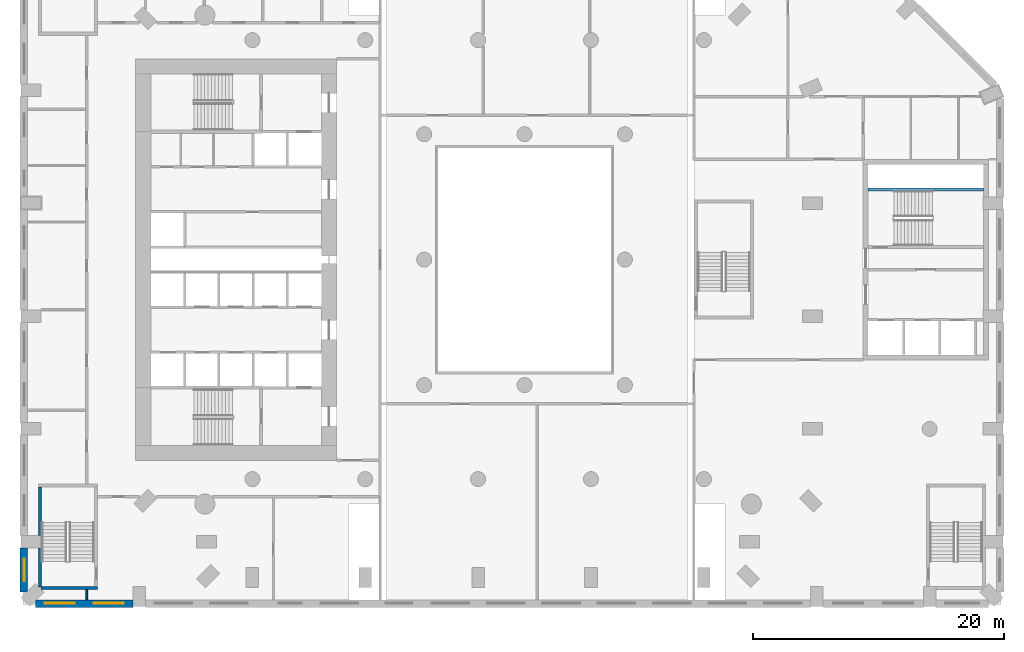
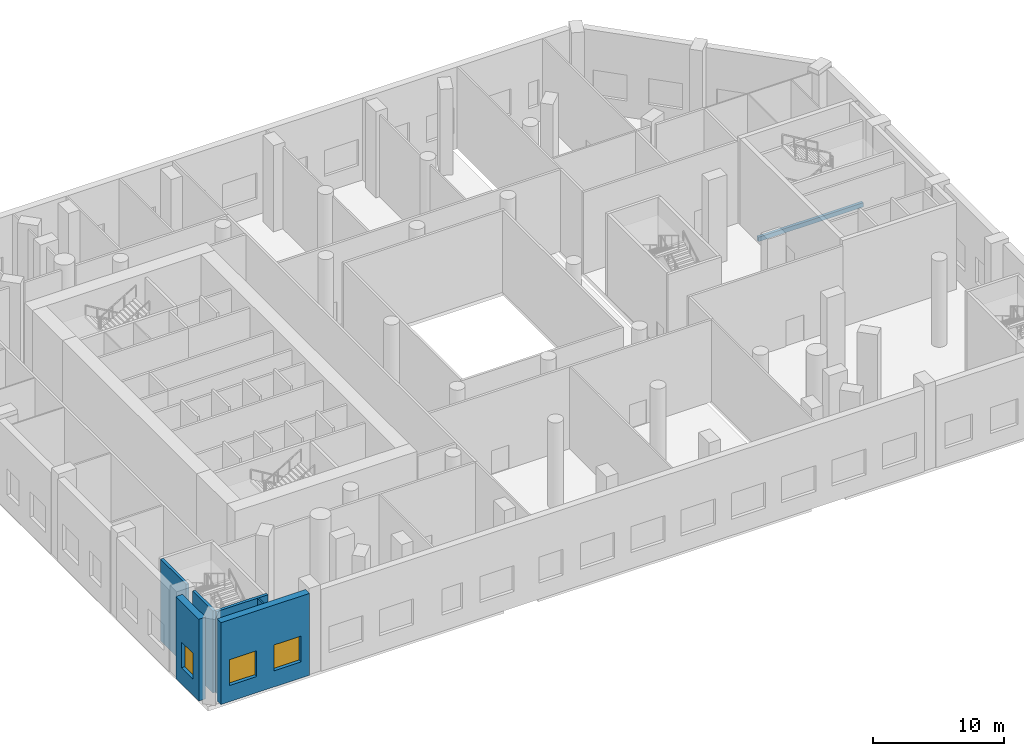
# One storey, part 2 of 18: 6 walls, 3 windows, 1 slab, 3 openings.
"""IFC4 building model written with IfcOpenShell, lengths in metres."""

from ifc_helpers import new_model, si_unit, direction, frame, frame_2d, origin, place, context, subcontext, project, spatial, polyline, rectangle, outline, extrude, material, layer, layer_set, type_object, element, fill, save


model = new_model("IFC4")

# Units and contexts
model_context = context("Model", 3, precision=1e-05, world=origin(), true_north=direction((0.0, 1.0)))
body_context = subcontext(model_context, "Body", "Model", "MODEL_VIEW")
ifc_project = project(units=[si_unit("LENGTHUNIT", "METRE"), si_unit("AREAUNIT", "SQUARE_METRE"), si_unit("VOLUMEUNIT", "CUBIC_METRE"), si_unit("PLANEANGLEUNIT", "RADIAN"), si_unit("MASSUNIT", "GRAM", prefix="KILO")], contexts=[model_context])

# Site, building, storey
site_placement = place(None, origin())
site = spatial("IfcSite", under=ifc_project, at=site_placement, CompositionType="ELEMENT")
building_placement = place(site_placement, origin())
building = spatial("IfcBuilding", under=site, at=building_placement, Name="Cypress Arch Tower", CompositionType="ELEMENT")
storey_placement = place(building_placement, frame((0.0, 0.0, 36.0)))
storey = spatial("IfcBuildingStorey", under=building, at=storey_placement, Name="L04", CompositionType="ELEMENT", Elevation=36.0)

# Slab
ifc_material_1 = material(Name="Concrete C40/50", Category="concrete")
ifc_layer_1 = layer(ifc_material_1, 0.402099609375)
ifc_layer_set_1 = layer_set([ifc_layer_1], Name="Core floor CF402")
slab_type = type_object("IfcSlabType", Name="Core floor CF402", PredefinedType="FLOOR", material=ifc_layer_set_1)
slab_placement = place(storey_placement, frame((0.0, 0.0, -0.402099609375)))
element("IfcSlab", 1, at=slab_placement, inside=storey, type_object=slab_type, Name="East core floor", PredefinedType="FLOOR", context=body_context, shape_type="SweptSolid", body=[
    extrude(outline(polyline([(30.449951171875, 5.47509765625), (28.800048828125, 5.47509765625), (28.39990234375, 5.47509765625), (28.39990234375, 5.72509765625), (28.800048828125, 5.72509765625), (37.199951171875, 5.72509765625), (37.60009765625, 5.72509765625), (37.60009765625, 5.47509765625), (37.199951171875, 5.47509765625), (30.449951171875, 5.47509765625)])), origin(), (0.0, 0.0, 1.0), 0.402099609375),
])

# Wall, openings, windows
ifc_material_2 = material(Name="Brick (red buff blend) on blockwork backing", Category="masonry")
ifc_layer_2 = layer(ifc_material_2, 0.60009765625)
ifc_layer_set_2 = layer_set([ifc_layer_2], Name="Brick base wall BW600")
wall_type_1 = type_object("IfcWallType", Name="Brick base wall BW600", PredefinedType="ELEMENTEDWALL", material=ifc_layer_set_2)
wall_1_placement = place(storey_placement, frame((-37.992919921875, -27.425048828125, 0.0), z_axis=(0.0, 0.0, 1.0), x_axis=(1.0, 0.0, 0.0)))
wall_1 = element("IfcWall", 2, at=wall_1_placement, inside=storey, type_object=wall_type_1, Name="Brick wall L04 P00.0", PredefinedType="ELEMENTEDWALL", context=body_context, shape_type="SweptSolid", body=[
    extrude(rectangle(XDim=7.79296875, YDim=0.60009765625, at=frame_2d((3.896484375, 0.0))), origin(), (0.0, 0.0, 1.0), 7.60009765625),
])
opening_1_placement = place(wall_1_placement, frame((0.748291015625, 0.0, 1.5)))
opening_1 = element("IfcOpeningElement", 3, at=opening_1_placement, cuts=wall_1, Name="Opening W240P", PredefinedType="OPENING", context=body_context, shape_type="SweptSolid", body=[
    extrude(rectangle(XDim=2.39990234375, YDim=2.39990234375, at=frame_2d((1.199951171875, 1.199951171875))), frame((0.0, 0.31005859375, 0.0), z_axis=(0.0, -1.0, 0.0), x_axis=(1.0, 0.0, 0.0)), (0.0, 0.0, 1.0), 0.6201171875),
])
opening_2_placement = place(wall_1_placement, frame((4.644775390625, 0.0, 1.5)))
opening_2 = element("IfcOpeningElement", 4, at=opening_2_placement, cuts=wall_1, Name="Opening W240P", PredefinedType="OPENING", context=body_context, shape_type="SweptSolid", body=[
    extrude(rectangle(XDim=2.39990234375, YDim=2.39990234375, at=frame_2d((1.199951171875, 1.199951171875))), frame((0.0, 0.31005859375, 0.0), z_axis=(0.0, -1.0, 0.0), x_axis=(1.0, 0.0, 0.0)), (0.0, 0.0, 1.0), 0.6201171875),
])
ifc_material_3 = material(Name="Anodised aluminium, bronze finish, clear low-emissivity double glazing", Category="aluminium")
window_type_1 = type_object("IfcWindowType", Name="Window Podium 2400x2400", PartitioningType="SINGLE_PANEL", PredefinedType="WINDOW", material=ifc_material_3)
window_1_placement = place(opening_1_placement, origin())
window_1 = element("IfcWindow", 5, at=window_1_placement, inside=storey, type_object=window_type_1, Name="Window L04 P00.0.1", OverallHeight=2.39990234375, OverallWidth=2.39990234375, PartitioningType="SINGLE_PANEL", PredefinedType="WINDOW", context=body_context, shape_type="SweptSolid", body=[
    extrude(rectangle(XDim=2.39990234375, YDim=2.39990234375, at=frame_2d((1.199951171875, 1.199951171875))), frame((0.0, 0.06005859375, 0.0), z_axis=(0.0, -1.0, 0.0), x_axis=(1.0, 0.0, 0.0)), (0.0, 0.0, 1.0), 0.06005859375),
])
fill(opening_1, window_1)
window_2_placement = place(opening_2_placement, origin())
window_2 = element("IfcWindow", 6, at=window_2_placement, inside=storey, type_object=window_type_1, Name="Window L04 P00.0.2", OverallHeight=2.39990234375, OverallWidth=2.39990234375, PartitioningType="SINGLE_PANEL", PredefinedType="WINDOW", context=body_context, shape_type="SweptSolid", body=[
    extrude(rectangle(XDim=2.39990234375, YDim=2.39990234375, at=frame_2d((1.199951171875, 1.199951171875))), frame((0.0, 0.06005859375, 0.0), z_axis=(0.0, -1.0, 0.0), x_axis=(1.0, 0.0, 0.0)), (0.0, 0.0, 1.0), 0.06005859375),
])
fill(opening_2, window_2)

# Wall, opening, window
wall_2_placement = place(storey_placement, frame((-38.925048828125, -23.0, 0.0), z_axis=(0.0, 0.0, 1.0), x_axis=(0.0, -1.0, 0.0)))
wall_2 = element("IfcWall", 7, at=wall_2_placement, inside=storey, type_object=wall_type_1, Name="Brick wall L04 P04.6", PredefinedType="ELEMENTEDWALL", context=body_context, shape_type="SweptSolid", body=[
    extrude(rectangle(XDim=3.492919921875, YDim=0.60009765625, at=frame_2d((1.74658203125, 0.0))), origin(), (0.0, 0.0, 1.0), 7.60009765625),
])
opening_3_placement = place(wall_2_placement, frame((0.846435546875, 0.0, 1.5)))
opening_3 = element("IfcOpeningElement", 8, at=opening_3_placement, cuts=wall_2, Name="Opening W180P", PredefinedType="OPENING", context=body_context, shape_type="SweptSolid", body=[
    extrude(rectangle(XDim=1.800048828125, YDim=2.39990234375, at=frame_2d((0.89990234375, 1.199951171875))), frame((0.0, 0.31005859375, 0.0), z_axis=(0.0, -1.0, 0.0), x_axis=(1.0, 0.0, 0.0)), (0.0, 0.0, 1.0), 0.6201171875),
])
ifc_material_4 = material(Name="Anodised aluminium, bronze finish, clear low-emissivity double glazing", Category="aluminium")
window_type_2 = type_object("IfcWindowType", Name="Window Podium 1800x2400", PartitioningType="SINGLE_PANEL", PredefinedType="WINDOW", material=ifc_material_4)
window_3_placement = place(opening_3_placement, origin())
window_3 = element("IfcWindow", 9, at=window_3_placement, inside=storey, type_object=window_type_2, Name="Window L04 P04.6.1", OverallHeight=2.39990234375, OverallWidth=1.800048828125, PartitioningType="SINGLE_PANEL", PredefinedType="WINDOW", context=body_context, shape_type="SweptSolid", body=[
    extrude(rectangle(XDim=1.800048828125, YDim=2.39990234375, at=frame_2d((0.89990234375, 1.199951171875))), frame((0.0, 0.06005859375, 0.0), z_axis=(0.0, -1.0, 0.0), x_axis=(1.0, 0.0, 0.0)), (0.0, 0.0, 1.0), 0.06005859375),
])
fill(opening_3, window_3)

# Walls
ifc_material_5 = material(Name="Blockwork, plastered both sides", Category="masonry")
ifc_layer_3 = layer(ifc_material_5, 0.14990234375)
ifc_layer_set_3 = layer_set([ifc_layer_3], Name="Partition PW150")
wall_type_2 = type_object("IfcWallType", Name="Partition PW150", PredefinedType="PARTITIONING", material=ifc_layer_set_3)
wall_3_placement = place(storey_placement, frame((-33.89990234375, -27.125, 0.0), z_axis=(0.0, 0.0, 1.0), x_axis=(0.0, 1.0, 0.0)))
element("IfcWall", 10, at=wall_3_placement, inside=storey, type_object=wall_type_2, Name="Partition", PredefinedType="PARTITIONING", context=body_context, shape_type="SweptSolid", body=[
    extrude(rectangle(XDim=0.824951171875, YDim=0.14990234375, at=frame_2d((0.41259765625, 0.0))), origin(), (0.0, 0.0, 1.0), 7.597900390625),
])
ifc_material_6 = material(Name="Concrete C50/60", Category="concrete")
ifc_layer_4 = layer(ifc_material_6, 0.25)
ifc_layer_set_4 = layer_set([ifc_layer_4], Name="Stair enclosure wall SW250")
wall_type_3 = type_object("IfcWallType", Name="Stair enclosure wall SW250", PredefinedType="SHEAR", material=ifc_layer_set_4)
wall_4_placement = place(storey_placement, frame((-37.625, -26.09521484375, 0.0), z_axis=(0.0, 0.0, 1.0), x_axis=(0.0, 1.0, 0.0)))
element("IfcWall", 11, at=wall_4_placement, inside=storey, type_object=wall_type_3, Name="Stair enclosure wall", PredefinedType="SHEAR", context=body_context, shape_type="SweptSolid", body=[
    extrude(rectangle(XDim=3.09521484375, YDim=0.25, at=frame_2d((1.547607421875, 0.0))), origin(), (0.0, 0.0, 1.0), 7.60009765625),
])
wall_5_placement = place(storey_placement, frame((-37.625, -22.0, 0.0), z_axis=(0.0, 0.0, 1.0), x_axis=(0.0, 1.0, 0.0)))
element("IfcWall", 12, at=wall_5_placement, inside=storey, type_object=wall_type_3, Name="Stair enclosure wall", PredefinedType="SHEAR", context=body_context, shape_type="SweptSolid", body=[
    extrude(rectangle(XDim=3.8701171875, YDim=0.25, at=frame_2d((1.93505859375, 0.0))), origin(), (0.0, 0.0, 1.0), 7.60009765625),
])
wall_6_placement = place(storey_placement, frame((-37.545166015625, -26.175048828125, 0.0), z_axis=(0.0, 0.0, 1.0), x_axis=(1.0, 0.0, 0.0)))
element("IfcWall", 13, at=wall_6_placement, inside=storey, type_object=wall_type_3, Name="Stair enclosure wall", PredefinedType="SHEAR", context=body_context, shape_type="SweptSolid", body=[
    extrude(rectangle(XDim=4.4951171875, YDim=0.25, at=frame_2d((2.24755859375, 0.0))), origin(), (0.0, 0.0, 1.0), 7.60009765625),
])

save(model, "model.ifc")
